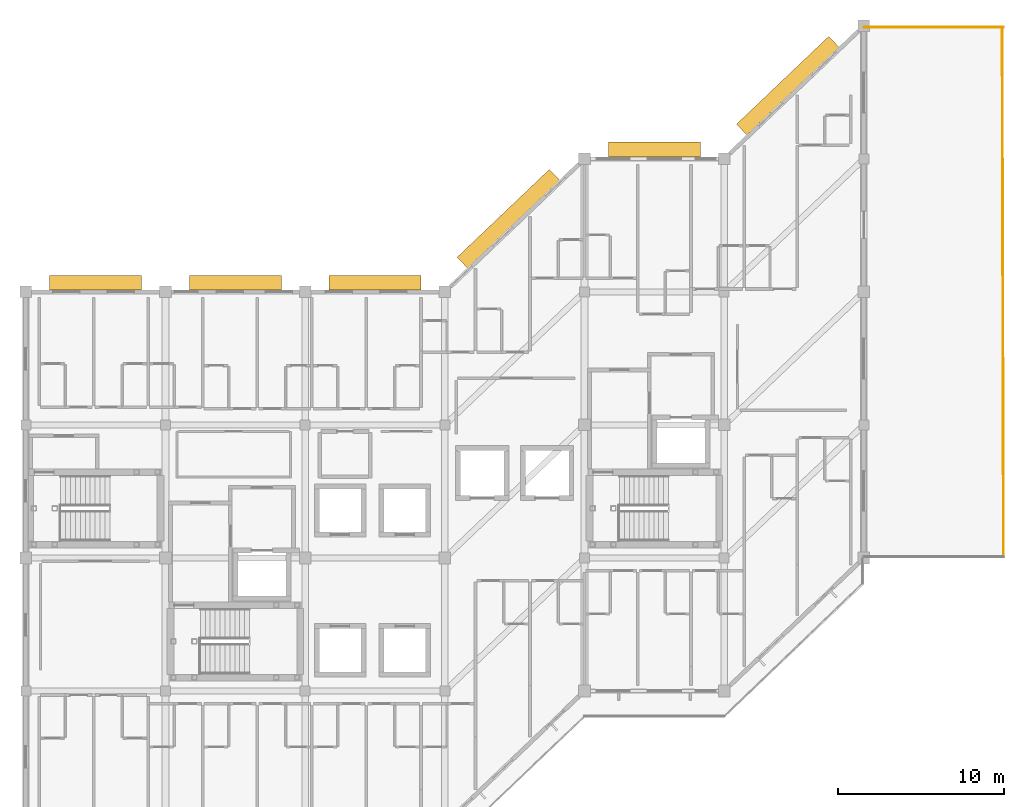
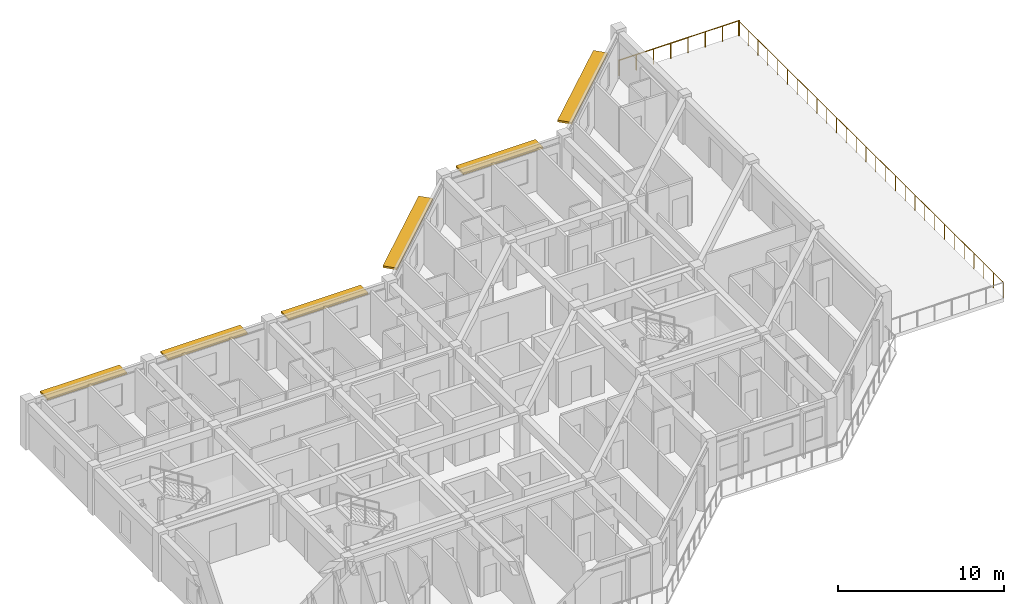
# One storey, part 15 of 15: 6 shading devices, 2 railings.
"""IFC4 building model written with IfcOpenShell, lengths in metres."""

from ifc_helpers import new_model, si_unit, direction, frame, origin, origin_2d, place, context, subcontext, project, spatial, rectangle, circle, extrude, material, layer, layer_set, type_object, element, save


model = new_model("IFC4")

# Units and contexts
model_context = context("Model", 3, precision=1e-05, world=origin(), true_north=direction((0.0, 1.0)))
body_context = subcontext(model_context, "Body", "Model", "MODEL_VIEW")
ifc_project = project(units=[si_unit("LENGTHUNIT", "METRE"), si_unit("AREAUNIT", "SQUARE_METRE"), si_unit("VOLUMEUNIT", "CUBIC_METRE"), si_unit("PLANEANGLEUNIT", "RADIAN"), si_unit("MASSUNIT", "GRAM", prefix="KILO")], contexts=[model_context])

# Site, building, storey
site_placement = place(None, origin())
site = spatial("IfcSite", under=ifc_project, at=site_placement, CompositionType="ELEMENT")
building_placement = place(site_placement, origin())
building = spatial("IfcBuilding", under=site, at=building_placement, Name="Naruveol Harbour Congress Hotel", CompositionType="ELEMENT")
storey_placement = place(building_placement, frame((0.0, 0.0, 36.0)))
storey = spatial("IfcBuildingStorey", under=building, at=storey_placement, Name="L08", CompositionType="ELEMENT", Elevation=36.0)

# Railings
ifc_material_1 = material(Name="Tempered Laminated Safety Glass & Stainless Steel", Category="steel")
ifc_layer_1 = layer(ifc_material_1, 0.06005859375)
ifc_layer_set_1 = layer_set([ifc_layer_1], Name="Tempered Laminated Safety Glass & Stainless Steel")
railing_type = type_object("IfcRailingType", Name="LAMINATED GLASS TERRACE BALUSTRADE 1150", PredefinedType="BALUSTRADE", material=ifc_layer_set_1)
railing_1_placement = place(storey_placement, frame((176.39990234375, 16.080078125, 0.0)))
element("IfcRailing", 1, at=railing_1_placement, inside=storey, type_object=railing_type, Name="L08 East Harbour Garden Terrace balustrade #118", PredefinedType="BALUSTRADE", context=body_context, shape_type="SweptSolid", body=[
    extrude(circle(Radius=0.02392578125, at=origin_2d()), frame((0.0, 0.0, 1.1259765625), z_axis=(-0.002507353178, 0.999996856585, 0.0), x_axis=(-0.999996856585, -0.002507353178, 0.0)), (0.0, 0.0, 1.0), 31.83984375),
    extrude(circle(Radius=0.02099609375, at=origin_2d()), origin(), (0.0, 0.0, 1.0), 1.101806640625),
    extrude(circle(Radius=0.02099609375, at=origin_2d()), frame((-0.0029296875, 1.17919921875, 0.0)), (0.0, 0.0, 1.0), 1.101806640625),
    extrude(circle(Radius=0.02099609375, at=origin_2d()), frame((-0.005859375, 2.3583984375, 0.0)), (0.0, 0.0, 1.0), 1.101806640625),
    extrude(circle(Radius=0.02099609375, at=origin_2d()), frame((-0.0087890625, 3.537841796875, 0.0)), (0.0, 0.0, 1.0), 1.101806640625),
    extrude(circle(Radius=0.02099609375, at=origin_2d()), frame((-0.01171875, 4.717041015625, 0.0)), (0.0, 0.0, 1.0), 1.101806640625),
    extrude(circle(Radius=0.02099609375, at=origin_2d()), frame((-0.014892578125, 5.896240234375, 0.0)), (0.0, 0.0, 1.0), 1.101806640625),
    extrude(circle(Radius=0.02099609375, at=origin_2d()), frame((-0.017822265625, 7.075439453125, 0.0)), (0.0, 0.0, 1.0), 1.101806640625),
    extrude(circle(Radius=0.02099609375, at=origin_2d()), frame((-0.020751953125, 8.2548828125, 0.0)), (0.0, 0.0, 1.0), 1.101806640625),
    extrude(circle(Radius=0.02099609375, at=origin_2d()), frame((-0.023681640625, 9.43408203125, 0.0)), (0.0, 0.0, 1.0), 1.101806640625),
    extrude(circle(Radius=0.02099609375, at=origin_2d()), frame((-0.026611328125, 10.61328125, 0.0)), (0.0, 0.0, 1.0), 1.101806640625),
    extrude(circle(Radius=0.02099609375, at=origin_2d()), frame((-0.029541015625, 11.79248046875, 0.0)), (0.0, 0.0, 1.0), 1.101806640625),
    extrude(circle(Radius=0.02099609375, at=origin_2d()), frame((-0.032470703125, 12.9716796875, 0.0)), (0.0, 0.0, 1.0), 1.101806640625),
    extrude(circle(Radius=0.02099609375, at=origin_2d()), frame((-0.035400390625, 14.151123046875, 0.0)), (0.0, 0.0, 1.0), 1.101806640625),
    extrude(circle(Radius=0.02099609375, at=origin_2d()), frame((-0.038330078125, 15.330322265625, 0.0)), (0.0, 0.0, 1.0), 1.101806640625),
    extrude(circle(Radius=0.02099609375, at=origin_2d()), frame((-0.04150390625, 16.509521484375, 0.0)), (0.0, 0.0, 1.0), 1.101806640625),
    extrude(circle(Radius=0.02099609375, at=origin_2d()), frame((-0.04443359375, 17.688720703125, 0.0)), (0.0, 0.0, 1.0), 1.101806640625),
    extrude(circle(Radius=0.02099609375, at=origin_2d()), frame((-0.04736328125, 18.8681640625, 0.0)), (0.0, 0.0, 1.0), 1.101806640625),
    extrude(circle(Radius=0.02099609375, at=origin_2d()), frame((-0.05029296875, 20.04736328125, 0.0)), (0.0, 0.0, 1.0), 1.101806640625),
    extrude(circle(Radius=0.02099609375, at=origin_2d()), frame((-0.05322265625, 21.2265625, 0.0)), (0.0, 0.0, 1.0), 1.101806640625),
    extrude(circle(Radius=0.02099609375, at=origin_2d()), frame((-0.05615234375, 22.40576171875, 0.0)), (0.0, 0.0, 1.0), 1.101806640625),
    extrude(circle(Radius=0.02099609375, at=origin_2d()), frame((-0.05908203125, 23.5849609375, 0.0)), (0.0, 0.0, 1.0), 1.101806640625),
    extrude(circle(Radius=0.02099609375, at=origin_2d()), frame((-0.06201171875, 24.764404296875, 0.0)), (0.0, 0.0, 1.0), 1.101806640625),
    extrude(circle(Radius=0.02099609375, at=origin_2d()), frame((-0.06494140625, 25.943603515625, 0.0)), (0.0, 0.0, 1.0), 1.101806640625),
    extrude(circle(Radius=0.02099609375, at=origin_2d()), frame((-0.068115234375, 27.122802734375, 0.0)), (0.0, 0.0, 1.0), 1.101806640625),
    extrude(circle(Radius=0.02099609375, at=origin_2d()), frame((-0.071044921875, 28.302001953125, 0.0)), (0.0, 0.0, 1.0), 1.101806640625),
    extrude(circle(Radius=0.02099609375, at=origin_2d()), frame((-0.073974609375, 29.4814453125, 0.0)), (0.0, 0.0, 1.0), 1.101806640625),
    extrude(circle(Radius=0.02099609375, at=origin_2d()), frame((-0.076904296875, 30.66064453125, 0.0)), (0.0, 0.0, 1.0), 1.101806640625),
    extrude(circle(Radius=0.02099609375, at=origin_2d()), frame((-0.079833984375, 31.83984375, 0.0)), (0.0, 0.0, 1.0), 1.101806640625),
])
railing_2_placement = place(storey_placement, frame((176.39990234375, 47.919921875, 0.0)))
element("IfcRailing", 2, at=railing_2_placement, inside=storey, type_object=railing_type, Name="L08 East Harbour Garden Terrace balustrade #119", PredefinedType="BALUSTRADE", context=body_context, shape_type="SweptSolid", body=[
    extrude(circle(Radius=0.02392578125, at=origin_2d()), frame((0.0, 0.0, 1.1259765625), z_axis=(-1.0, 0.0, 0.0), x_axis=(0.0, -1.0, 0.0)), (0.0, 0.0, 1.0), 8.39990234375),
    extrude(circle(Radius=0.02099609375, at=origin_2d()), origin(), (0.0, 0.0, 1.0), 1.101806640625),
    extrude(circle(Radius=0.02099609375, at=origin_2d()), frame((-1.199951171875, 0.0, 0.0)), (0.0, 0.0, 1.0), 1.101806640625),
    extrude(circle(Radius=0.02099609375, at=origin_2d()), frame((-2.39990234375, 0.0, 0.0)), (0.0, 0.0, 1.0), 1.101806640625),
    extrude(circle(Radius=0.02099609375, at=origin_2d()), frame((-3.599853515625, 0.0, 0.0)), (0.0, 0.0, 1.0), 1.101806640625),
    extrude(circle(Radius=0.02099609375, at=origin_2d()), frame((-4.800048828125, 0.0, 0.0)), (0.0, 0.0, 1.0), 1.101806640625),
    extrude(circle(Radius=0.02099609375, at=origin_2d()), frame((-6.0, 0.0, 0.0)), (0.0, 0.0, 1.0), 1.101806640625),
    extrude(circle(Radius=0.02099609375, at=origin_2d()), frame((-7.199951171875, 0.0, 0.0)), (0.0, 0.0, 1.0), 1.101806640625),
    extrude(circle(Radius=0.02099609375, at=origin_2d()), frame((-8.39990234375, 0.0, 0.0)), (0.0, 0.0, 1.0), 1.101806640625),
])

# Shading devices
ifc_material_2 = material(Name="Precast concrete C40/50", Category="concrete")
ifc_layer_2 = layer(ifc_material_2, 0.139892578125)
ifc_layer_set_2 = layer_set([ifc_layer_2], Name="Precast concrete C40/50")
shading_device_type = type_object("IfcShadingDeviceType", Name="PRECAST COBOGO PERFORATED SUNSHADE CANOPY", PredefinedType="AWNING", material=ifc_layer_set_2)
for number, where, z_axis, x_axis, name in (
    (3, (121.800048828125, 32.550048828125, 2.80029296875), (0.0, 0.0, 1.0), (1.0, 0.0, 0.0), "Precast cobogo sunshade CB-A900 #78"),
    (4, (130.199951171875, 32.550048828125, 2.80029296875), (0.0, 0.0, 1.0), (1.0, 0.0, 0.0), "Precast cobogo sunshade CB-A900 #81"),
    (5, (138.60009765625, 32.550048828125, 2.80029296875), (0.0, 0.0, 1.0), (1.0, 0.0, 0.0), "Precast cobogo sunshade CB-A900 #84"),
):
    element("IfcShadingDevice", number, at=place(storey_placement, frame(where, z_axis=z_axis, x_axis=x_axis)), inside=storey, type_object=shading_device_type, Name=name, PredefinedType="AWNING", context=body_context, shape_type="SweptSolid", body=[
        extrude(rectangle(XDim=5.5400390625, YDim=0.89990234375, at=origin_2d()), origin(), (0.0, 0.0, 1.0), 0.139892578125),
    ])
shading_device_1_placement = place(storey_placement, frame((146.62109375, 36.39794921875, 2.80029296875), z_axis=(0.0, 0.0, 1.0), x_axis=(0.724171861437, 0.689619543736, 0.0)))
element("IfcShadingDevice", 6, at=shading_device_1_placement, inside=storey, type_object=shading_device_type, Name="Precast cobogo sunshade CB-A900 #87", PredefinedType="AWNING", context=body_context, shape_type="SweptSolid", body=[
    extrude(rectangle(XDim=7.659912109375, YDim=0.89990234375, at=origin_2d()), origin(), (0.0, 0.0, 1.0), 0.139892578125),
])
shading_device_2_placement = place(storey_placement, frame((155.39990234375, 40.550048828125, 2.80029296875), z_axis=(0.0, 0.0, 1.0), x_axis=(1.0, 0.0, 0.0)))
element("IfcShadingDevice", 7, at=shading_device_2_placement, inside=storey, type_object=shading_device_type, Name="Precast cobogo sunshade CB-A900 #90", PredefinedType="AWNING", context=body_context, shape_type="SweptSolid", body=[
    extrude(rectangle(XDim=5.5400390625, YDim=0.89990234375, at=origin_2d()), origin(), (0.0, 0.0, 1.0), 0.139892578125),
])
shading_device_3_placement = place(storey_placement, frame((163.4208984375, 44.39794921875, 2.80029296875), z_axis=(0.0, 0.0, 1.0), x_axis=(0.724171861437, 0.689619543736, 0.0)))
element("IfcShadingDevice", 8, at=shading_device_3_placement, inside=storey, type_object=shading_device_type, Name="Precast cobogo sunshade CB-A900 #93", PredefinedType="AWNING", context=body_context, shape_type="SweptSolid", body=[
    extrude(rectangle(XDim=7.659912109375, YDim=0.89990234375, at=origin_2d()), origin(), (0.0, 0.0, 1.0), 0.139892578125),
])

save(model, "model.ifc")
